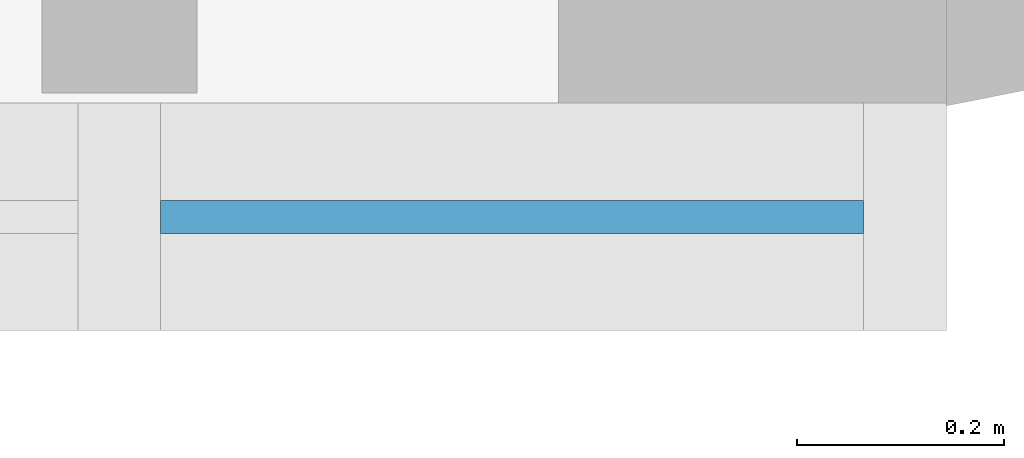
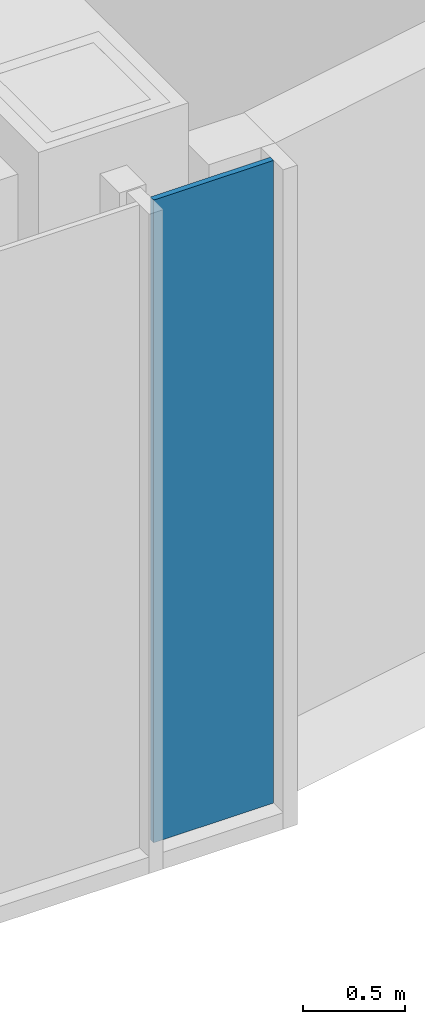
# One storey, part 10 of 28: 1 plate, 1 element without a shape of its own.
"""IFC4 building model written with IfcOpenShell, lengths in metres."""

from ifc_helpers import new_model, si_unit, direction, frame, origin, origin_2d, place, context, subcontext, project, spatial, rectangle, extrude, material, layer, layer_set, type_object, element, aggregate, save


model = new_model("IFC4")

# Units and contexts
model_context = context("Model", 3, precision=1e-05, world=origin(), true_north=direction((0.0, 1.0)))
body_context = subcontext(model_context, "Body", "Model", "MODEL_VIEW")
ifc_project = project(units=[si_unit("LENGTHUNIT", "METRE"), si_unit("AREAUNIT", "SQUARE_METRE"), si_unit("VOLUMEUNIT", "CUBIC_METRE"), si_unit("PLANEANGLEUNIT", "RADIAN"), si_unit("MASSUNIT", "GRAM", prefix="KILO")], contexts=[model_context])

# Site, building, storey
site_placement = place(None, origin())
site = spatial("IfcSite", under=ifc_project, at=site_placement, CompositionType="ELEMENT")
building_placement = place(site_placement, origin())
building = spatial("IfcBuilding", under=site, at=building_placement, Name="Orbita Commons", CompositionType="ELEMENT")
storey_placement = place(building_placement, frame((0.0, 0.0, 193.60009765625)))
storey = spatial("IfcBuildingStorey", under=building, at=storey_placement, Name="L48", CompositionType="ELEMENT", Elevation=193.60009765625)

# Curtain wall, plate
ifc_material_1 = material(Name="Anodised aluminium frame, pale silver", Category="aluminium")
curtain_wall_type = type_object("IfcCurtainWallType", Name="Unitised curtain wall CW-U, full-height vision", PredefinedType="NOTDEFINED", material=ifc_material_1)
curtain_wall_placement = place(storey_placement, origin())
curtain_wall = element("IfcCurtainWall", 1, at=curtain_wall_placement, inside=storey, type_object=curtain_wall_type, Name="Curtain wall south L48", PredefinedType="NOTDEFINED")
ifc_material_2 = material(Name="Clear double glazing", Category="glass")
ifc_layer = layer(ifc_material_2, 0.031982421875)
ifc_layer_set = layer_set([ifc_layer], Name="Clear double glazing")
plate_type = type_object("IfcPlateType", Name="Full-height vision panel, clear glazing 32", PredefinedType="CURTAIN_PANEL", material=ifc_layer_set)
plate_placement = place(storey_placement, frame((66.3798828125, 9.68994140625, -0.35009765625), z_axis=(0.0, 0.0, 1.0), x_axis=(1.0, 0.0, 0.0)))
plate = element("IfcPlate", 2, at=plate_placement, type_object=plate_type, Name="Panel 18.1 CW-L48-S", PredefinedType="CURTAIN_PANEL", context=body_context, shape_type="SweptSolid", body=[
    extrude(rectangle(XDim=0.679931640625, YDim=0.031982421875, at=origin_2d()), origin(), (0.0, 0.0, 1.0), 3.85009765625),
])
aggregate(curtain_wall, [plate])

save(model, "model.ifc")
